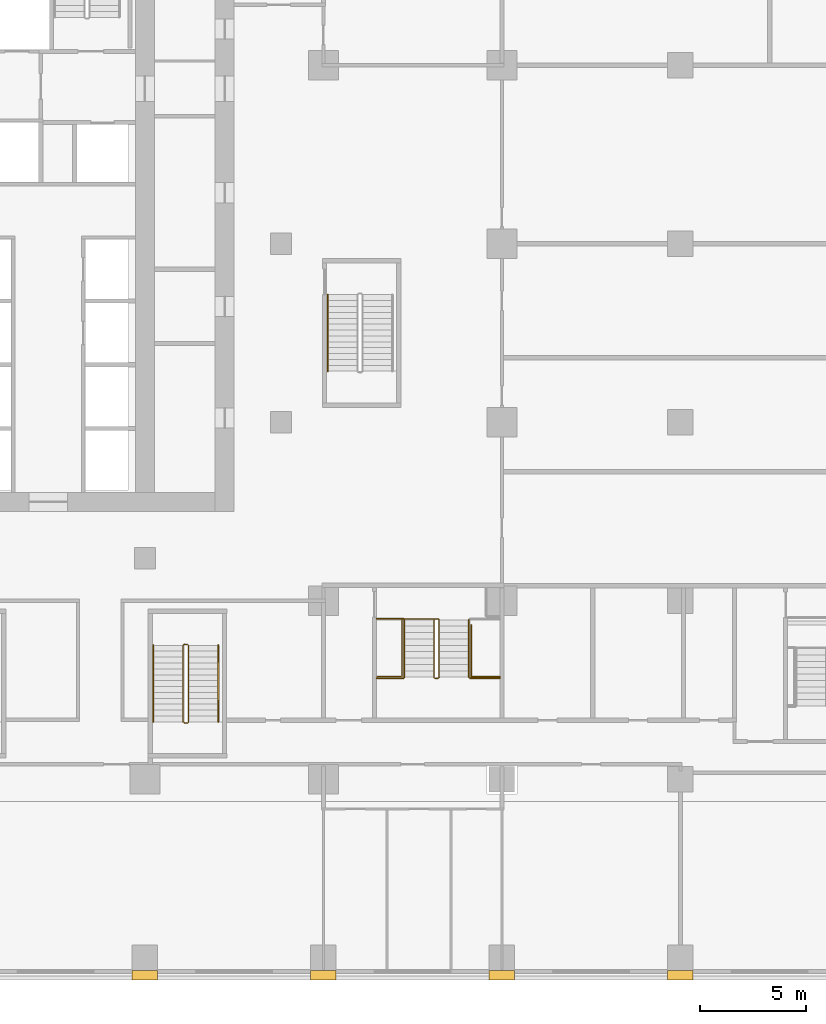
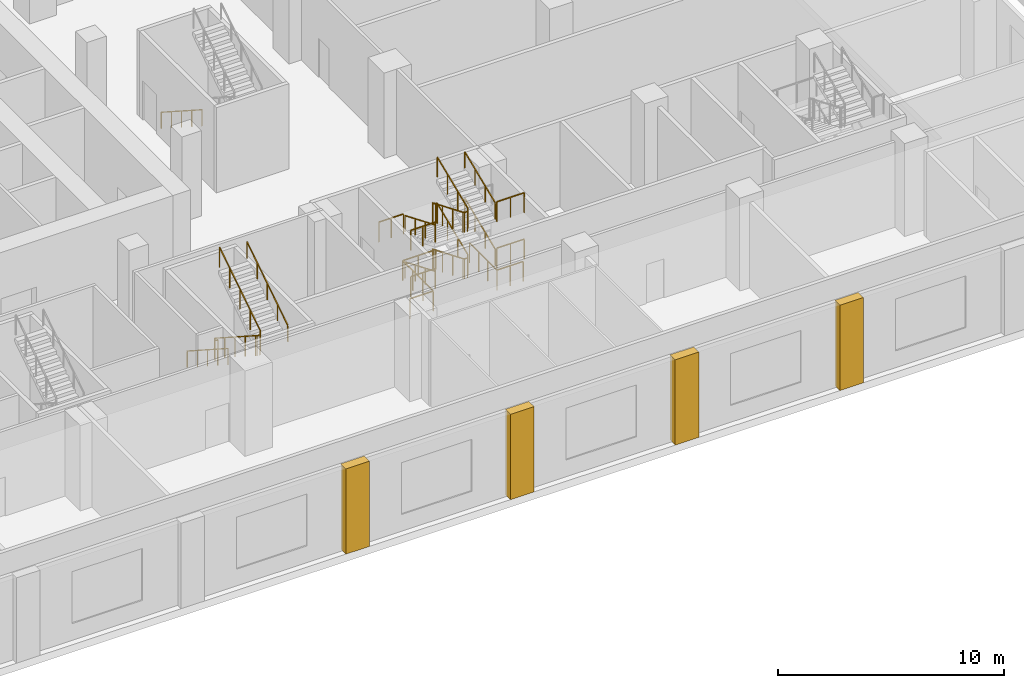
# One storey, part 17 of 23: 16 railings, 4 coverings.
"""IFC4 building model written with IfcOpenShell, lengths in metres."""

from ifc_helpers import new_model, si_unit, direction, frame, origin, origin_2d, place, context, subcontext, project, spatial, polyline, rectangle, outline, extrude, material, type_object, element, save


model = new_model("IFC4")

# Units and contexts
model_context = context("Model", 3, precision=1e-05, world=origin(), true_north=direction((0.0, 1.0)))
body_context = subcontext(model_context, "Body", "Model", "MODEL_VIEW")
ifc_project = project(units=[si_unit("LENGTHUNIT", "METRE"), si_unit("AREAUNIT", "SQUARE_METRE"), si_unit("VOLUMEUNIT", "CUBIC_METRE"), si_unit("PLANEANGLEUNIT", "RADIAN"), si_unit("MASSUNIT", "GRAM", prefix="KILO")], contexts=[model_context])

# Site, building, storey
site_placement = place(None, origin())
site = spatial("IfcSite", under=ifc_project, at=site_placement, CompositionType="ELEMENT")
building_placement = place(site_placement, origin())
building = spatial("IfcBuilding", under=site, at=building_placement, Name="Vermilion Ogive Tower", CompositionType="ELEMENT")
storey_placement = place(building_placement, frame((0.0, 0.0, 20.0)))
storey = spatial("IfcBuildingStorey", under=building, at=storey_placement, Name="L03", CompositionType="ELEMENT", Elevation=20.0)

# Railings
ifc_material_1 = material(Name="Steel S355 painted", Category="steel")
railing_type_1 = type_object("IfcRailingType", Name="Stair guard 1100", PredefinedType="GUARDRAIL", material=ifc_material_1)
railing_1_placement = place(storey_placement, frame((10.39990234375, -14.64990234375, 0.0)))
element("IfcRailing", 1, at=railing_1_placement, inside=storey, type_object=railing_type_1, Name="L03 ST5 stair guard 4", PredefinedType="GUARDRAIL", context=body_context, shape_type="SweptSolid", body=[
    extrude(rectangle(XDim=0.048095703125, YDim=0.048095703125, at=origin_2d()), frame((0.0, 0.0, 1.076171875), z_axis=(-1.0, 0.0, 0.0), x_axis=(0.0, -1.0, 0.0)), (0.0, 0.0, 1.0), 0.14990234375),
    extrude(rectangle(XDim=0.048095703125, YDim=0.048095703125, at=origin_2d()), frame((-0.14990234375, 0.0, 1.076171875), z_axis=(-0.260684529273, -0.260684529273, 0.929562882432), x_axis=(0.707106781187, -0.707106781187, 0.0)), (0.0, 0.0, 1.0), 0.19189453125),
    extrude(rectangle(XDim=0.048095703125, YDim=0.048095703125, at=origin_2d()), frame((-0.199951171875, -0.050048828125, 1.25439453125), z_axis=(0.0, -0.840414717549, 0.541943818607), x_axis=(1.0, 0.0, 0.0)), (0.0, 0.0, 1.0), 4.28369140625),
    extrude(rectangle(XDim=0.048095703125, YDim=0.048095703125, at=origin_2d()), frame((-0.199951171875, -3.650146484375, 3.576171875), z_axis=(0.707106781187, -0.707106781187, 0.0), x_axis=(0.707106781187, 0.707106781187, 0.0)), (0.0, 0.0, 1.0), 0.07080078125),
    extrude(rectangle(XDim=0.048095703125, YDim=0.048095703125, at=origin_2d()), frame((-0.14990234375, -3.7001953125, 3.576171875), z_axis=(1.0, 0.0, 0.0), x_axis=(0.0, 1.0, 0.0)), (0.0, 0.0, 1.0), 0.14990234375),
    extrude(rectangle(XDim=0.048095703125, YDim=0.048095703125, at=origin_2d()), frame((0.0, -3.7001953125, 3.576171875), z_axis=(0.260684529273, 0.260684529273, 0.929562882432), x_axis=(-0.707106781187, 0.707106781187, 0.0)), (0.0, 0.0, 1.0), 0.19189453125),
    extrude(rectangle(XDim=0.048095703125, YDim=0.048095703125, at=origin_2d()), frame((0.050048828125, -3.650146484375, 3.75439453125), z_axis=(0.0, 0.840414717549, 0.541943818607), x_axis=(-1.0, 0.0, 0.0)), (0.0, 0.0, 1.0), 4.28369140625),
    extrude(rectangle(XDim=0.0419921875, YDim=0.0419921875, at=origin_2d()), origin(), (0.0, 0.0, 1.0), 1.052001953125),
    extrude(rectangle(XDim=0.0419921875, YDim=0.0419921875, at=origin_2d()), frame((-0.14990234375, 0.0, 0.0)), (0.0, 0.0, 1.0), 1.052001953125),
    extrude(rectangle(XDim=0.0419921875, YDim=0.0419921875, at=origin_2d()), frame((-0.199951171875, -0.050048828125, 0.178466796875)), (0.0, 0.0, 1.0), 1.052001953125),
    extrude(rectangle(XDim=0.0419921875, YDim=0.0419921875, at=origin_2d()), frame((-0.199951171875, -0.9501953125, 0.7587890625)), (0.0, 0.0, 1.0), 1.052001953125),
    extrude(rectangle(XDim=0.0419921875, YDim=0.0419921875, at=origin_2d()), frame((-0.199951171875, -1.85009765625, 1.33935546875)), (0.0, 0.0, 1.0), 1.052001953125),
    extrude(rectangle(XDim=0.0419921875, YDim=0.0419921875, at=origin_2d()), frame((-0.199951171875, -2.75, 1.919677734375)), (0.0, 0.0, 1.0), 1.052001953125),
    extrude(rectangle(XDim=0.0419921875, YDim=0.0419921875, at=origin_2d()), frame((-0.199951171875, -3.650146484375, 2.5)), (0.0, 0.0, 1.0), 1.052001953125),
    extrude(rectangle(XDim=0.0419921875, YDim=0.0419921875, at=origin_2d()), frame((-0.14990234375, -3.7001953125, 2.5)), (0.0, 0.0, 1.0), 1.052001953125),
    extrude(rectangle(XDim=0.0419921875, YDim=0.0419921875, at=origin_2d()), frame((0.0, -3.7001953125, 2.5)), (0.0, 0.0, 1.0), 1.052001953125),
    extrude(rectangle(XDim=0.0419921875, YDim=0.0419921875, at=origin_2d()), frame((0.050048828125, -3.650146484375, 2.678466796875)), (0.0, 0.0, 1.0), 1.052001953125),
    extrude(rectangle(XDim=0.0419921875, YDim=0.0419921875, at=origin_2d()), frame((0.050048828125, -2.75, 3.2587890625)), (0.0, 0.0, 1.0), 1.052001953125),
    extrude(rectangle(XDim=0.0419921875, YDim=0.0419921875, at=origin_2d()), frame((0.050048828125, -1.85009765625, 3.83935546875)), (0.0, 0.0, 1.0), 1.052001953125),
    extrude(rectangle(XDim=0.0419921875, YDim=0.0419921875, at=origin_2d()), frame((0.050048828125, -0.9501953125, 4.419677734375)), (0.0, 0.0, 1.0), 1.052001953125),
    extrude(rectangle(XDim=0.0419921875, YDim=0.0419921875, at=origin_2d()), frame((0.050048828125, -0.050048828125, 5.0)), (0.0, 0.0, 1.0), 1.052001953125),
])
railing_2_placement = place(storey_placement, frame((22.199951171875, -13.449951171875, 0.0)))
element("IfcRailing", 2, at=railing_2_placement, inside=storey, type_object=railing_type_1, Name="L03 PS3 stair guard 8", PredefinedType="GUARDRAIL", context=body_context, shape_type="SweptSolid", body=[
    extrude(rectangle(XDim=0.048095703125, YDim=0.048095703125, at=origin_2d()), frame((0.0, 0.0, 1.076171875), z_axis=(-1.0, 0.0, 0.0), x_axis=(0.0, -1.0, 0.0)), (0.0, 0.0, 1.0), 0.14990234375),
    extrude(rectangle(XDim=0.048095703125, YDim=0.048095703125, at=origin_2d()), frame((-0.14990234375, 0.0, 1.076171875), z_axis=(-0.34841279274, -0.34841279274, 0.870182194549), x_axis=(0.707106781187, -0.707106781187, 0.0)), (0.0, 0.0, 1.0), 0.1435546875),
    extrude(rectangle(XDim=0.048095703125, YDim=0.048095703125, at=origin_2d()), frame((-0.199951171875, -0.050048828125, 1.201171875), z_axis=(0.0, -0.923074453586, 0.384621311341), x_axis=(1.0, 0.0, 0.0)), (0.0, 0.0, 1.0), 2.925048828125),
    extrude(rectangle(XDim=0.048095703125, YDim=0.048095703125, at=origin_2d()), frame((-0.199951171875, -2.75, 2.326171875), z_axis=(0.707106781187, -0.707106781187, 0.0), x_axis=(0.707106781187, 0.707106781187, 0.0)), (0.0, 0.0, 1.0), 0.07080078125),
    extrude(rectangle(XDim=0.048095703125, YDim=0.048095703125, at=origin_2d()), frame((-0.14990234375, -2.800048828125, 2.326171875), z_axis=(1.0, 0.0, 0.0), x_axis=(0.0, 1.0, 0.0)), (0.0, 0.0, 1.0), 0.14990234375),
    extrude(rectangle(XDim=0.048095703125, YDim=0.048095703125, at=origin_2d()), frame((0.0, -2.800048828125, 2.326171875), z_axis=(0.34841279274, 0.34841279274, 0.870182194549), x_axis=(-0.707106781187, 0.707106781187, 0.0)), (0.0, 0.0, 1.0), 0.1435546875),
    extrude(rectangle(XDim=0.048095703125, YDim=0.048095703125, at=origin_2d()), frame((0.050048828125, -2.75, 2.451171875), z_axis=(0.0, 0.923074453586, 0.384621311341), x_axis=(-1.0, 0.0, 0.0)), (0.0, 0.0, 1.0), 2.925048828125),
    extrude(rectangle(XDim=0.048095703125, YDim=0.048095703125, at=origin_2d()), frame((0.050048828125, -0.050048828125, 3.576171875), z_axis=(-0.707106781187, 0.707106781187, 0.0), x_axis=(-0.707106781187, -0.707106781187, 0.0)), (0.0, 0.0, 1.0), 0.07080078125),
    extrude(rectangle(XDim=0.048095703125, YDim=0.048095703125, at=origin_2d()), frame((0.0, 0.0, 3.576171875), z_axis=(-1.0, 0.0, 0.0), x_axis=(0.0, -1.0, 0.0)), (0.0, 0.0, 1.0), 0.14990234375),
    extrude(rectangle(XDim=0.048095703125, YDim=0.048095703125, at=origin_2d()), frame((-0.14990234375, 0.0, 3.576171875), z_axis=(-0.34841279274, -0.34841279274, 0.870182194549), x_axis=(0.707106781187, -0.707106781187, 0.0)), (0.0, 0.0, 1.0), 0.1435546875),
    extrude(rectangle(XDim=0.048095703125, YDim=0.048095703125, at=origin_2d()), frame((-0.199951171875, -0.050048828125, 3.701171875), z_axis=(0.0, -0.923074453586, 0.384621311341), x_axis=(1.0, 0.0, 0.0)), (0.0, 0.0, 1.0), 2.925048828125),
    extrude(rectangle(XDim=0.048095703125, YDim=0.048095703125, at=origin_2d()), frame((-0.199951171875, -2.75, 4.826171875), z_axis=(0.707106781187, -0.707106781187, 0.0), x_axis=(0.707106781187, 0.707106781187, 0.0)), (0.0, 0.0, 1.0), 0.07080078125),
    extrude(rectangle(XDim=0.048095703125, YDim=0.048095703125, at=origin_2d()), frame((-0.14990234375, -2.800048828125, 4.826171875), z_axis=(1.0, 0.0, 0.0), x_axis=(0.0, 1.0, 0.0)), (0.0, 0.0, 1.0), 0.14990234375),
    extrude(rectangle(XDim=0.048095703125, YDim=0.048095703125, at=origin_2d()), frame((0.0, -2.800048828125, 4.826171875), z_axis=(0.34841279274, 0.34841279274, 0.870182194549), x_axis=(-0.707106781187, 0.707106781187, 0.0)), (0.0, 0.0, 1.0), 0.1435546875),
    extrude(rectangle(XDim=0.048095703125, YDim=0.048095703125, at=origin_2d()), frame((0.050048828125, -2.75, 4.951171875), z_axis=(0.0, 0.923074453586, 0.384621311341), x_axis=(-1.0, 0.0, 0.0)), (0.0, 0.0, 1.0), 2.925048828125),
    extrude(rectangle(XDim=0.0419921875, YDim=0.0419921875, at=origin_2d()), origin(), (0.0, 0.0, 1.0), 1.052001953125),
    extrude(rectangle(XDim=0.0419921875, YDim=0.0419921875, at=origin_2d()), frame((-0.14990234375, 0.0, 0.0)), (0.0, 0.0, 1.0), 1.052001953125),
    extrude(rectangle(XDim=0.0419921875, YDim=0.0419921875, at=origin_2d()), frame((-0.199951171875, -0.050048828125, 0.125)), (0.0, 0.0, 1.0), 1.052001953125),
    extrude(rectangle(XDim=0.0419921875, YDim=0.0419921875, at=origin_2d()), frame((-0.199951171875, -0.949951171875, 0.5)), (0.0, 0.0, 1.0), 1.052001953125),
    extrude(rectangle(XDim=0.0419921875, YDim=0.0419921875, at=origin_2d()), frame((-0.199951171875, -1.85009765625, 0.875)), (0.0, 0.0, 1.0), 1.052001953125),
    extrude(rectangle(XDim=0.0419921875, YDim=0.0419921875, at=origin_2d()), frame((-0.199951171875, -2.75, 1.25)), (0.0, 0.0, 1.0), 1.052001953125),
    extrude(rectangle(XDim=0.0419921875, YDim=0.0419921875, at=origin_2d()), frame((-0.14990234375, -2.800048828125, 1.25)), (0.0, 0.0, 1.0), 1.052001953125),
    extrude(rectangle(XDim=0.0419921875, YDim=0.0419921875, at=origin_2d()), frame((0.0, -2.800048828125, 1.25)), (0.0, 0.0, 1.0), 1.052001953125),
    extrude(rectangle(XDim=0.0419921875, YDim=0.0419921875, at=origin_2d()), frame((0.050048828125, -2.75, 1.375)), (0.0, 0.0, 1.0), 1.052001953125),
    extrude(rectangle(XDim=0.0419921875, YDim=0.0419921875, at=origin_2d()), frame((0.050048828125, -1.85009765625, 1.75)), (0.0, 0.0, 1.0), 1.052001953125),
    extrude(rectangle(XDim=0.0419921875, YDim=0.0419921875, at=origin_2d()), frame((0.050048828125, -0.949951171875, 2.125)), (0.0, 0.0, 1.0), 1.052001953125),
    extrude(rectangle(XDim=0.0419921875, YDim=0.0419921875, at=origin_2d()), frame((0.050048828125, -0.050048828125, 2.5)), (0.0, 0.0, 1.0), 1.052001953125),
    extrude(rectangle(XDim=0.0419921875, YDim=0.0419921875, at=origin_2d()), frame((0.0, 0.0, 2.5)), (0.0, 0.0, 1.0), 1.052001953125),
    extrude(rectangle(XDim=0.0419921875, YDim=0.0419921875, at=origin_2d()), frame((-0.14990234375, 0.0, 2.5)), (0.0, 0.0, 1.0), 1.052001953125),
    extrude(rectangle(XDim=0.0419921875, YDim=0.0419921875, at=origin_2d()), frame((-0.199951171875, -0.050048828125, 2.625)), (0.0, 0.0, 1.0), 1.052001953125),
    extrude(rectangle(XDim=0.0419921875, YDim=0.0419921875, at=origin_2d()), frame((-0.199951171875, -0.949951171875, 3.0)), (0.0, 0.0, 1.0), 1.052001953125),
    extrude(rectangle(XDim=0.0419921875, YDim=0.0419921875, at=origin_2d()), frame((-0.199951171875, -1.85009765625, 3.375)), (0.0, 0.0, 1.0), 1.052001953125),
    extrude(rectangle(XDim=0.0419921875, YDim=0.0419921875, at=origin_2d()), frame((-0.199951171875, -2.75, 3.75)), (0.0, 0.0, 1.0), 1.052001953125),
    extrude(rectangle(XDim=0.0419921875, YDim=0.0419921875, at=origin_2d()), frame((-0.14990234375, -2.800048828125, 3.75)), (0.0, 0.0, 1.0), 1.052001953125),
    extrude(rectangle(XDim=0.0419921875, YDim=0.0419921875, at=origin_2d()), frame((0.0, -2.800048828125, 3.75)), (0.0, 0.0, 1.0), 1.052001953125),
    extrude(rectangle(XDim=0.0419921875, YDim=0.0419921875, at=origin_2d()), frame((0.050048828125, -2.75, 3.875)), (0.0, 0.0, 1.0), 1.052001953125),
    extrude(rectangle(XDim=0.0419921875, YDim=0.0419921875, at=origin_2d()), frame((0.050048828125, -1.85009765625, 4.25)), (0.0, 0.0, 1.0), 1.052001953125),
    extrude(rectangle(XDim=0.0419921875, YDim=0.0419921875, at=origin_2d()), frame((0.050048828125, -0.949951171875, 4.625)), (0.0, 0.0, 1.0), 1.052001953125),
    extrude(rectangle(XDim=0.0419921875, YDim=0.0419921875, at=origin_2d()), frame((0.050048828125, -0.050048828125, 5.0)), (0.0, 0.0, 1.0), 1.052001953125),
])
railing_3_placement = place(storey_placement, frame((19.300048828125, -16.25, 1.25)))
element("IfcRailing", 3, at=railing_3_placement, inside=storey, type_object=railing_type_1, Name="L03 landing guard", PredefinedType="GUARDRAIL", context=body_context, shape_type="SweptSolid", body=[
    extrude(rectangle(XDim=0.048095703125, YDim=0.048095703125, at=origin_2d()), frame((0.0, 0.0, 1.076171875), z_axis=(1.0, 0.0, 0.0), x_axis=(0.0, 1.0, 0.0)), (0.0, 0.0, 1.0), 1.25),
    extrude(rectangle(XDim=0.0419921875, YDim=0.0419921875, at=origin_2d()), origin(), (0.0, 0.0, 1.0), 1.052001953125),
    extrude(rectangle(XDim=0.0419921875, YDim=0.0419921875, at=origin_2d()), frame((0.625, 0.0, 0.0)), (0.0, 0.0, 1.0), 1.052001953125),
    extrude(rectangle(XDim=0.0419921875, YDim=0.0419921875, at=origin_2d()), frame((1.25, 0.0, 0.0)), (0.0, 0.0, 1.0), 1.052001953125),
])
railing_4_placement = place(storey_placement, frame((23.699951171875, -16.25, 1.25)))
element("IfcRailing", 4, at=railing_4_placement, inside=storey, type_object=railing_type_1, Name="L03 landing guard", PredefinedType="GUARDRAIL", context=body_context, shape_type="SweptSolid", body=[
    extrude(rectangle(XDim=0.048095703125, YDim=0.048095703125, at=origin_2d()), frame((0.0, 0.0, 1.076171875), z_axis=(1.0, 0.0, 0.0), x_axis=(0.0, 1.0, 0.0)), (0.0, 0.0, 1.0), 1.39990234375),
    extrude(rectangle(XDim=0.0419921875, YDim=0.0419921875, at=origin_2d()), origin(), (0.0, 0.0, 1.0), 1.052001953125),
    extrude(rectangle(XDim=0.0419921875, YDim=0.0419921875, at=origin_2d()), frame((0.699951171875, 0.0, 0.0)), (0.0, 0.0, 1.0), 1.052001953125),
    extrude(rectangle(XDim=0.0419921875, YDim=0.0419921875, at=origin_2d()), frame((1.39990234375, 0.0, 0.0)), (0.0, 0.0, 1.0), 1.052001953125),
])
for number, where, name in (
    (5, (19.300048828125, -13.449951171875, 2.5), "L03 landing guard"),
    (6, (19.300048828125, -16.25, 3.75), "L03 landing guard"),
):
    element("IfcRailing", number, at=place(storey_placement, frame(where)), inside=storey, type_object=railing_type_1, Name=name, PredefinedType="GUARDRAIL", context=body_context, shape_type="SweptSolid", body=[
        extrude(rectangle(XDim=0.048095703125, YDim=0.048095703125, at=origin_2d()), frame((0.0, 0.0, 1.076171875), z_axis=(1.0, 0.0, 0.0), x_axis=(0.0, 1.0, 0.0)), (0.0, 0.0, 1.0), 1.25),
        extrude(rectangle(XDim=0.0419921875, YDim=0.0419921875, at=origin_2d()), origin(), (0.0, 0.0, 1.0), 1.052001953125),
        extrude(rectangle(XDim=0.0419921875, YDim=0.0419921875, at=origin_2d()), frame((0.625, 0.0, 0.0)), (0.0, 0.0, 1.0), 1.052001953125),
        extrude(rectangle(XDim=0.0419921875, YDim=0.0419921875, at=origin_2d()), frame((1.25, 0.0, 0.0)), (0.0, 0.0, 1.0), 1.052001953125),
    ])
railing_5_placement = place(storey_placement, frame((23.699951171875, -16.25, 3.75)))
element("IfcRailing", 7, at=railing_5_placement, inside=storey, type_object=railing_type_1, Name="L03 landing guard", PredefinedType="GUARDRAIL", context=body_context, shape_type="SweptSolid", body=[
    extrude(rectangle(XDim=0.048095703125, YDim=0.048095703125, at=origin_2d()), frame((0.0, 0.0, 1.076171875), z_axis=(1.0, 0.0, 0.0), x_axis=(0.0, 1.0, 0.0)), (0.0, 0.0, 1.0), 1.39990234375),
    extrude(rectangle(XDim=0.0419921875, YDim=0.0419921875, at=origin_2d()), origin(), (0.0, 0.0, 1.0), 1.052001953125),
    extrude(rectangle(XDim=0.0419921875, YDim=0.0419921875, at=origin_2d()), frame((0.699951171875, 0.0, 0.0)), (0.0, 0.0, 1.0), 1.052001953125),
    extrude(rectangle(XDim=0.0419921875, YDim=0.0419921875, at=origin_2d()), frame((1.39990234375, 0.0, 0.0)), (0.0, 0.0, 1.0), 1.052001953125),
])
railing_6_placement = place(storey_placement, frame((19.318115234375, -16.156982421875, 0.0)))
element("IfcRailing", 8, at=railing_6_placement, inside=storey, type_object=railing_type_1, Name="L03 stair opening guard", PredefinedType="GUARDRAIL", context=body_context, shape_type="SweptSolid", body=[
    extrude(rectangle(XDim=0.048095703125, YDim=0.048095703125, at=origin_2d()), frame((0.0, 0.0, 1.076171875), z_axis=(1.0, 0.0, 0.0), x_axis=(0.0, 1.0, 0.0)), (0.0, 0.0, 1.0), 1.190185546875),
    extrude(rectangle(XDim=0.048095703125, YDim=0.048095703125, at=origin_2d()), frame((1.190185546875, 0.0, 1.076171875), z_axis=(0.0, 1.0, 0.0), x_axis=(-1.0, 0.0, 0.0)), (0.0, 0.0, 1.0), 2.7001953125),
    extrude(rectangle(XDim=0.048095703125, YDim=0.048095703125, at=origin_2d()), frame((1.190185546875, 2.7001953125, 1.076171875), z_axis=(1.0, 0.0, 0.0), x_axis=(0.0, 1.0, 0.0)), (0.0, 0.0, 1.0), 1.60009765625),
    extrude(rectangle(XDim=0.0419921875, YDim=0.0419921875, at=origin_2d()), origin(), (0.0, 0.0, 1.0), 1.052001953125),
    extrude(rectangle(XDim=0.0419921875, YDim=0.0419921875, at=origin_2d()), frame((1.190185546875, 0.0, 0.0)), (0.0, 0.0, 1.0), 1.052001953125),
    extrude(rectangle(XDim=0.0419921875, YDim=0.0419921875, at=origin_2d()), frame((1.190185546875, 0.900146484375, 0.0)), (0.0, 0.0, 1.0), 1.052001953125),
    extrude(rectangle(XDim=0.0419921875, YDim=0.0419921875, at=origin_2d()), frame((1.190185546875, 1.800048828125, 0.0)), (0.0, 0.0, 1.0), 1.052001953125),
    extrude(rectangle(XDim=0.0419921875, YDim=0.0419921875, at=origin_2d()), frame((1.190185546875, 2.7001953125, 0.0)), (0.0, 0.0, 1.0), 1.052001953125),
    extrude(rectangle(XDim=0.0419921875, YDim=0.0419921875, at=origin_2d()), frame((1.990234375, 2.7001953125, 0.0)), (0.0, 0.0, 1.0), 1.052001953125),
    extrude(rectangle(XDim=0.0419921875, YDim=0.0419921875, at=origin_2d()), frame((2.790283203125, 2.7001953125, 0.0)), (0.0, 0.0, 1.0), 1.052001953125),
])
railing_7_placement = place(storey_placement, frame((23.75244140625, -13.746826171875, 0.0)))
element("IfcRailing", 9, at=railing_7_placement, inside=storey, type_object=railing_type_1, Name="L03 stair opening guard", PredefinedType="GUARDRAIL", context=body_context, shape_type="SweptSolid", body=[
    extrude(rectangle(XDim=0.048095703125, YDim=0.048095703125, at=origin_2d()), frame((0.0, 0.0, 1.076171875), z_axis=(0.0, -1.0, 0.0), x_axis=(1.0, 0.0, 0.0)), (0.0, 0.0, 1.0), 2.424072265625),
    extrude(rectangle(XDim=0.048095703125, YDim=0.048095703125, at=origin_2d()), frame((0.0, -2.424072265625, 1.076171875), z_axis=(1.0, 0.0, 0.0), x_axis=(0.0, 1.0, 0.0)), (0.0, 0.0, 1.0), 1.340087890625),
    extrude(rectangle(XDim=0.0419921875, YDim=0.0419921875, at=origin_2d()), origin(), (0.0, 0.0, 1.0), 1.052001953125),
    extrude(rectangle(XDim=0.0419921875, YDim=0.0419921875, at=origin_2d()), frame((0.0, -0.80810546875, 0.0)), (0.0, 0.0, 1.0), 1.052001953125),
    extrude(rectangle(XDim=0.0419921875, YDim=0.0419921875, at=origin_2d()), frame((0.0, -1.615966796875, 0.0)), (0.0, 0.0, 1.0), 1.052001953125),
    extrude(rectangle(XDim=0.0419921875, YDim=0.0419921875, at=origin_2d()), frame((0.0, -2.424072265625, 0.0)), (0.0, 0.0, 1.0), 1.052001953125),
    extrude(rectangle(XDim=0.0419921875, YDim=0.0419921875, at=origin_2d()), frame((0.669921875, -2.424072265625, 0.0)), (0.0, 0.0, 1.0), 1.052001953125),
    extrude(rectangle(XDim=0.0419921875, YDim=0.0419921875, at=origin_2d()), frame((1.340087890625, -2.424072265625, 0.0)), (0.0, 0.0, 1.0), 1.052001953125),
])
ifc_material_2 = material(Name="Stainless steel", Category="steel")
railing_type_2 = type_object("IfcRailingType", Name="Stair handrail 900", PredefinedType="HANDRAIL", material=ifc_material_2)
railing_8_placement = place(storey_placement, frame((8.800048828125, -14.699951171875, 0.178466796875)))
element("IfcRailing", 10, at=railing_8_placement, inside=storey, type_object=railing_type_2, Name="L03 ST5 stair handrail 1", PredefinedType="HANDRAIL", context=body_context, shape_type="SweptSolid", body=[
    extrude(rectangle(XDim=0.048095703125, YDim=0.048095703125, at=origin_2d()), frame((0.0, 0.0, 0.8759765625), z_axis=(0.0, -0.840414717549, 0.541943818607), x_axis=(1.0, 0.0, 0.0)), (0.0, 0.0, 1.0), 4.28369140625),
    extrude(rectangle(XDim=0.0419921875, YDim=0.0419921875, at=origin_2d()), origin(), (0.0, 0.0, 1.0), 0.851806640625),
    extrude(rectangle(XDim=0.0419921875, YDim=0.0419921875, at=origin_2d()), frame((0.0, -0.89990234375, 0.580322265625)), (0.0, 0.0, 1.0), 0.851806640625),
    extrude(rectangle(XDim=0.0419921875, YDim=0.0419921875, at=origin_2d()), frame((0.0, -1.800048828125, 1.16064453125)), (0.0, 0.0, 1.0), 0.851806640625),
    extrude(rectangle(XDim=0.0419921875, YDim=0.0419921875, at=origin_2d()), frame((0.0, -2.7001953125, 1.7412109375)), (0.0, 0.0, 1.0), 0.851806640625),
    extrude(rectangle(XDim=0.0419921875, YDim=0.0419921875, at=origin_2d()), frame((0.0, -3.60009765625, 2.321533203125)), (0.0, 0.0, 1.0), 0.851806640625),
])
railing_9_placement = place(storey_placement, frame((11.85009765625, -18.300048828125, 2.678466796875)))
element("IfcRailing", 11, at=railing_9_placement, inside=storey, type_object=railing_type_2, Name="L03 ST5 stair handrail 2", PredefinedType="HANDRAIL", context=body_context, shape_type="SweptSolid", body=[
    extrude(rectangle(XDim=0.048095703125, YDim=0.048095703125, at=origin_2d()), frame((0.0, 0.0, 0.8759765625), z_axis=(0.0, 0.840414717549, 0.541943818607), x_axis=(-1.0, 0.0, 0.0)), (0.0, 0.0, 1.0), 4.28369140625),
    extrude(rectangle(XDim=0.0419921875, YDim=0.0419921875, at=origin_2d()), origin(), (0.0, 0.0, 1.0), 0.851806640625),
    extrude(rectangle(XDim=0.0419921875, YDim=0.0419921875, at=origin_2d()), frame((0.0, 0.89990234375, 0.580322265625)), (0.0, 0.0, 1.0), 0.851806640625),
    extrude(rectangle(XDim=0.0419921875, YDim=0.0419921875, at=origin_2d()), frame((0.0, 1.800048828125, 1.16064453125)), (0.0, 0.0, 1.0), 0.851806640625),
    extrude(rectangle(XDim=0.0419921875, YDim=0.0419921875, at=origin_2d()), frame((0.0, 2.7001953125, 1.7412109375)), (0.0, 0.0, 1.0), 0.851806640625),
    extrude(rectangle(XDim=0.0419921875, YDim=0.0419921875, at=origin_2d()), frame((0.0, 3.60009765625, 2.321533203125)), (0.0, 0.0, 1.0), 0.851806640625),
])
railing_10_placement = place(storey_placement, frame((17.0, 1.800048828125, 0.178466796875)))
element("IfcRailing", 12, at=railing_10_placement, inside=storey, type_object=railing_type_2, Name="L03 ST8 stair handrail 1", PredefinedType="HANDRAIL", context=body_context, shape_type="SweptSolid", body=[
    extrude(rectangle(XDim=0.048095703125, YDim=0.048095703125, at=origin_2d()), frame((0.0, 0.0, 0.8759765625), z_axis=(0.0, -0.840414717549, 0.541943818607), x_axis=(1.0, 0.0, 0.0)), (0.0, 0.0, 1.0), 4.28369140625),
    extrude(rectangle(XDim=0.0419921875, YDim=0.0419921875, at=origin_2d()), origin(), (0.0, 0.0, 1.0), 0.851806640625),
    extrude(rectangle(XDim=0.0419921875, YDim=0.0419921875, at=origin_2d()), frame((0.0, -0.89990234375, 0.580322265625)), (0.0, 0.0, 1.0), 0.851806640625),
    extrude(rectangle(XDim=0.0419921875, YDim=0.0419921875, at=origin_2d()), frame((0.0, -1.800048828125, 1.16064453125)), (0.0, 0.0, 1.0), 0.851806640625),
    extrude(rectangle(XDim=0.0419921875, YDim=0.0419921875, at=origin_2d()), frame((0.0, -2.7001953125, 1.7412109375)), (0.0, 0.0, 1.0), 0.851806640625),
    extrude(rectangle(XDim=0.0419921875, YDim=0.0419921875, at=origin_2d()), frame((0.0, -3.60009765625, 2.321533203125)), (0.0, 0.0, 1.0), 0.851806640625),
])
railing_11_placement = place(storey_placement, frame((20.60009765625, -13.5, 0.125)))
element("IfcRailing", 13, at=railing_11_placement, inside=storey, type_object=railing_type_2, Name="L03 PS3 stair handrail 1", PredefinedType="HANDRAIL", context=body_context, shape_type="SweptSolid", body=[
    extrude(rectangle(XDim=0.048095703125, YDim=0.048095703125, at=origin_2d()), frame((0.0, 0.0, 0.8759765625), z_axis=(0.0, -0.923074453586, 0.384621311341), x_axis=(1.0, 0.0, 0.0)), (0.0, 0.0, 1.0), 2.925048828125),
    extrude(rectangle(XDim=0.0419921875, YDim=0.0419921875, at=origin_2d()), origin(), (0.0, 0.0, 1.0), 0.851806640625),
    extrude(rectangle(XDim=0.0419921875, YDim=0.0419921875, at=origin_2d()), frame((0.0, -0.89990234375, 0.375)), (0.0, 0.0, 1.0), 0.851806640625),
    extrude(rectangle(XDim=0.0419921875, YDim=0.0419921875, at=origin_2d()), frame((0.0, -1.800048828125, 0.75)), (0.0, 0.0, 1.0), 0.851806640625),
    extrude(rectangle(XDim=0.0419921875, YDim=0.0419921875, at=origin_2d()), frame((0.0, -2.699951171875, 1.125)), (0.0, 0.0, 1.0), 0.851806640625),
])
railing_12_placement = place(storey_placement, frame((23.64990234375, -16.199951171875, 1.375)))
element("IfcRailing", 14, at=railing_12_placement, inside=storey, type_object=railing_type_2, Name="L03 PS3 stair handrail 2", PredefinedType="HANDRAIL", context=body_context, shape_type="SweptSolid", body=[
    extrude(rectangle(XDim=0.048095703125, YDim=0.048095703125, at=origin_2d()), frame((0.0, 0.0, 0.8759765625), z_axis=(0.0, 0.923074453586, 0.384621311341), x_axis=(-1.0, 0.0, 0.0)), (0.0, 0.0, 1.0), 2.925048828125),
    extrude(rectangle(XDim=0.0419921875, YDim=0.0419921875, at=origin_2d()), origin(), (0.0, 0.0, 1.0), 0.851806640625),
    extrude(rectangle(XDim=0.0419921875, YDim=0.0419921875, at=origin_2d()), frame((0.0, 0.89990234375, 0.375)), (0.0, 0.0, 1.0), 0.851806640625),
    extrude(rectangle(XDim=0.0419921875, YDim=0.0419921875, at=origin_2d()), frame((0.0, 1.800048828125, 0.75)), (0.0, 0.0, 1.0), 0.851806640625),
    extrude(rectangle(XDim=0.0419921875, YDim=0.0419921875, at=origin_2d()), frame((0.0, 2.699951171875, 1.125)), (0.0, 0.0, 1.0), 0.851806640625),
])
railing_13_placement = place(storey_placement, frame((20.60009765625, -13.5, 2.625)))
element("IfcRailing", 15, at=railing_13_placement, inside=storey, type_object=railing_type_2, Name="L03 PS3 stair handrail 3", PredefinedType="HANDRAIL", context=body_context, shape_type="SweptSolid", body=[
    extrude(rectangle(XDim=0.048095703125, YDim=0.048095703125, at=origin_2d()), frame((0.0, 0.0, 0.8759765625), z_axis=(0.0, -0.923074453586, 0.384621311341), x_axis=(1.0, 0.0, 0.0)), (0.0, 0.0, 1.0), 2.925048828125),
    extrude(rectangle(XDim=0.0419921875, YDim=0.0419921875, at=origin_2d()), origin(), (0.0, 0.0, 1.0), 0.851806640625),
    extrude(rectangle(XDim=0.0419921875, YDim=0.0419921875, at=origin_2d()), frame((0.0, -0.89990234375, 0.375)), (0.0, 0.0, 1.0), 0.851806640625),
    extrude(rectangle(XDim=0.0419921875, YDim=0.0419921875, at=origin_2d()), frame((0.0, -1.800048828125, 0.75)), (0.0, 0.0, 1.0), 0.851806640625),
    extrude(rectangle(XDim=0.0419921875, YDim=0.0419921875, at=origin_2d()), frame((0.0, -2.699951171875, 1.125)), (0.0, 0.0, 1.0), 0.851806640625),
])
railing_14_placement = place(storey_placement, frame((23.64990234375, -16.199951171875, 3.875)))
element("IfcRailing", 16, at=railing_14_placement, inside=storey, type_object=railing_type_2, Name="L03 PS3 stair handrail 4", PredefinedType="HANDRAIL", context=body_context, shape_type="SweptSolid", body=[
    extrude(rectangle(XDim=0.048095703125, YDim=0.048095703125, at=origin_2d()), frame((0.0, 0.0, 0.8759765625), z_axis=(0.0, 0.923074453586, 0.384621311341), x_axis=(-1.0, 0.0, 0.0)), (0.0, 0.0, 1.0), 2.925048828125),
    extrude(rectangle(XDim=0.0419921875, YDim=0.0419921875, at=origin_2d()), origin(), (0.0, 0.0, 1.0), 0.851806640625),
    extrude(rectangle(XDim=0.0419921875, YDim=0.0419921875, at=origin_2d()), frame((0.0, 0.89990234375, 0.375)), (0.0, 0.0, 1.0), 0.851806640625),
    extrude(rectangle(XDim=0.0419921875, YDim=0.0419921875, at=origin_2d()), frame((0.0, 1.800048828125, 0.75)), (0.0, 0.0, 1.0), 0.851806640625),
    extrude(rectangle(XDim=0.0419921875, YDim=0.0419921875, at=origin_2d()), frame((0.0, 2.699951171875, 1.125)), (0.0, 0.0, 1.0), 0.851806640625),
])

# Coverings
ifc_material_3 = material(Name="Stone cladding", Category="masonry")
covering_type = type_object("IfcCoveringType", Name="Stone pier", PredefinedType="CLADDING", material=ifc_material_3)
covering_1_placement = place(storey_placement, origin())
element("IfcCovering", 17, at=covering_1_placement, inside=storey, type_object=covering_type, Name="Stone pier P+084-294", PredefinedType="CLADDING", context=body_context, shape_type="SweptSolid", body=[
    extrude(outline(polyline([(9.0, -30.0), (9.0, -30.449951171875), (7.800048828125, -30.449951171875), (7.800048828125, -30.0), (9.0, -30.0), (9.0, -30.0)])), origin(), (0.0, 0.0, 1.0), 4.60009765625),
])
covering_2_placement = place(storey_placement, origin())
element("IfcCovering", 18, at=covering_2_placement, inside=storey, type_object=covering_type, Name="Stone pier P+168-294", PredefinedType="CLADDING", context=body_context, shape_type="SweptSolid", body=[
    extrude(outline(polyline([(17.39990234375, -30.449951171875), (16.199951171875, -30.449951171875), (16.199951171875, -30.0), (17.39990234375, -30.0), (17.39990234375, -30.449951171875)])), origin(), (0.0, 0.0, 1.0), 4.60009765625),
])
covering_3_placement = place(storey_placement, origin())
element("IfcCovering", 19, at=covering_3_placement, inside=storey, type_object=covering_type, Name="Stone pier P+252-294", PredefinedType="CLADDING", context=body_context, shape_type="SweptSolid", body=[
    extrude(outline(polyline([(25.800048828125, -30.449951171875), (24.60009765625, -30.449951171875), (24.60009765625, -30.0), (25.800048828125, -30.0), (25.800048828125, -30.449951171875)])), origin(), (0.0, 0.0, 1.0), 4.60009765625),
])
covering_4_placement = place(storey_placement, origin())
element("IfcCovering", 20, at=covering_4_placement, inside=storey, type_object=covering_type, Name="Stone pier P+336-294", PredefinedType="CLADDING", context=body_context, shape_type="SweptSolid", body=[
    extrude(outline(polyline([(34.199951171875, -30.449951171875), (33.0, -30.449951171875), (33.0, -30.0), (34.199951171875, -30.0), (34.199951171875, -30.449951171875)])), origin(), (0.0, 0.0, 1.0), 4.60009765625),
])

save(model, "model.ifc")
